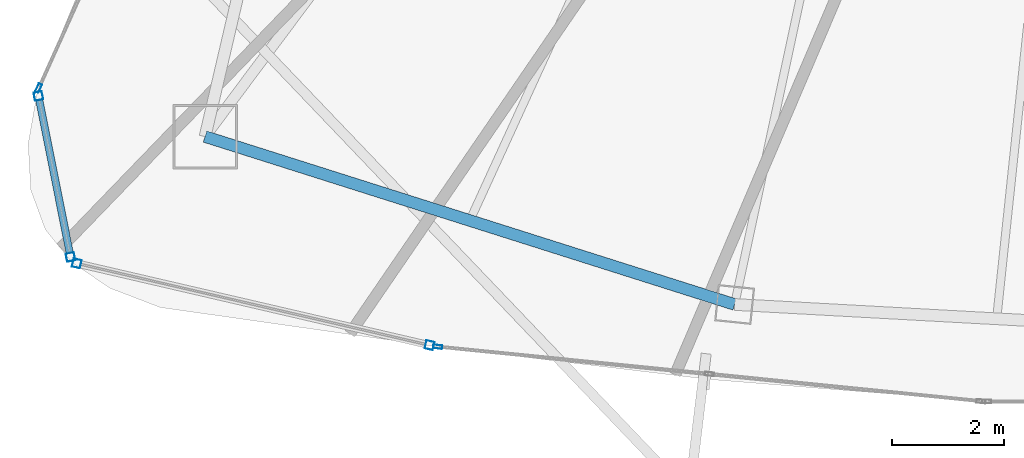
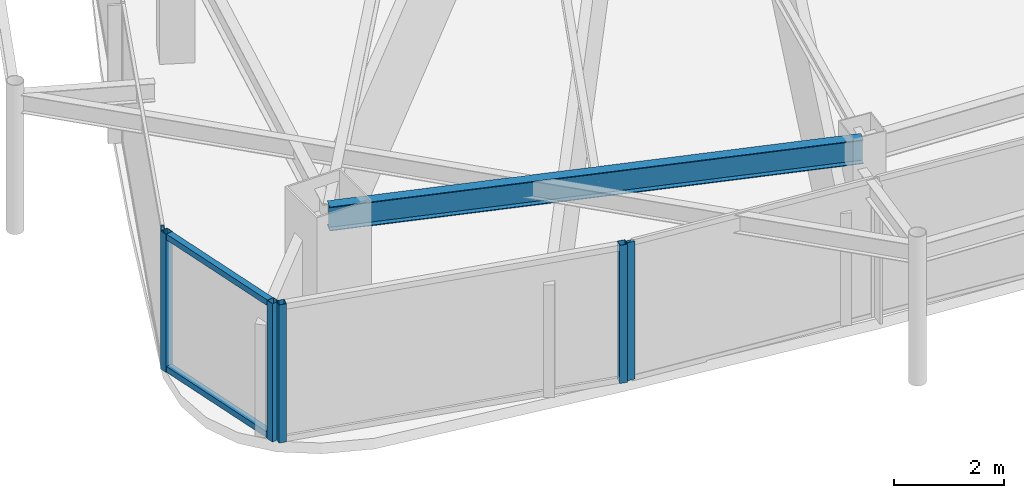
# One storey, part 2 of 28: 8 members, 1 beam, 4 elements without a shape of their own.
"""IFC4 building model written with IfcOpenShell, lengths in metres."""

from ifc_helpers import new_model, si_unit, direction, frame, origin, origin_2d, place, context, subcontext, project, spatial, hollow_rectangle, i_section, extrude, material, layer, layer_set, material_profile, profile_set, type_object, element, aggregate, save


model = new_model("IFC4")

# Units and contexts
model_context = context("Model", 3, precision=1e-05, world=origin(), true_north=direction((0.0, 1.0)))
body_context = subcontext(model_context, "Body", "Model", "MODEL_VIEW")
ifc_project = project(units=[si_unit("LENGTHUNIT", "METRE"), si_unit("AREAUNIT", "SQUARE_METRE"), si_unit("VOLUMEUNIT", "CUBIC_METRE"), si_unit("PLANEANGLEUNIT", "RADIAN"), si_unit("MASSUNIT", "GRAM", prefix="KILO")], contexts=[model_context])

# Site, building, storey
site_placement = place(None, origin())
site = spatial("IfcSite", under=ifc_project, at=site_placement, CompositionType="ELEMENT")
building_placement = place(site_placement, origin())
building = spatial("IfcBuilding", under=site, at=building_placement, Name="Orvanel Arch Residences", CompositionType="ELEMENT")
storey_placement = place(building_placement, frame((0.0, 0.0, 263.449951171875)))
storey = spatial("IfcBuildingStorey", under=building, at=storey_placement, Name="L75", CompositionType="ELEMENT", Elevation=263.449951171875)

# Curtain wall, members
ifc_material_1 = material(Name="Bronze-anodised aluminium AA6063-T6", Category="aluminium")
ifc_layer_1 = layer(ifc_material_1, 0.18994140625)
ifc_layer_set_1 = layer_set([ifc_layer_1], Name="Bronze-anodised aluminium AA6063-T6")
curtain_wall_type_1 = type_object("IfcCurtainWallType", Name="CW5-CRN-SYS", PredefinedType="NOTDEFINED", material=ifc_layer_set_1)
curtain_wall_1_placement = place(storey_placement, origin())
curtain_wall_1 = element("IfcCurtainWall", 1, at=curtain_wall_1_placement, inside=storey, type_object=curtain_wall_type_1, Name="L75 CW5-CRN-SYS Unitised Curtain Wall", PredefinedType="NOTDEFINED")
ifc_material_profile_1 = material_profile(ifc_material_1, hollow_rectangle(XDim=0.14990234375, YDim=0.14990234375, WallThickness=0.0048828125, at=origin_2d()), Name="ALU150x150x5")
ifc_profile_set_1 = profile_set([ifc_material_profile_1], Name="Bronze-anodised aluminium AA6063-T6")
member_type_1 = type_object("IfcMemberType", Name="MUL-150x150", PredefinedType="MULLION", material=ifc_profile_set_1)
member_1_placement = place(storey_placement, frame((11.2265625, 11.074462890625, 0.0), z_axis=(0.0, 0.0, 1.0), x_axis=(0.980692959243, 0.195553879253, 0.0)))
member_1 = element("IfcMember", 2, at=member_1_placement, type_object=member_type_1, Name="CW-S5 mullion 1", PredefinedType="MULLION", context=body_context, shape_type="SweptSolid", body=[
    extrude(hollow_rectangle(XDim=0.14990234375, YDim=0.14990234375, WallThickness=0.0048828125, at=origin_2d()), origin(), (0.0, 0.0, 1.0), 3.06005859375),
])
member_2_placement = place(storey_placement, frame((11.79931640625, 8.20263671875, 0.0), z_axis=(0.0, 0.0, 1.0), x_axis=(0.980692959243, 0.195553879253, 0.0)))
member_2 = element("IfcMember", 3, at=member_2_placement, type_object=member_type_1, Name="CW-S5 mullion 2", PredefinedType="MULLION", context=body_context, shape_type="SweptSolid", body=[
    extrude(hollow_rectangle(XDim=0.14990234375, YDim=0.14990234375, WallThickness=0.0048828125, at=origin_2d()), origin(), (0.0, 0.0, 1.0), 3.06005859375),
])

curtain_wall_2_placement = place(storey_placement, origin())
curtain_wall_2 = element("IfcCurtainWall", 4, at=curtain_wall_2_placement, inside=storey, type_object=curtain_wall_type_1, Name="L75 CW5-CRN-SYS Unitised Curtain Wall", PredefinedType="NOTDEFINED")
member_3_placement = place(storey_placement, frame((11.91015625, 8.087158203125, 0.0), z_axis=(0.0, 0.0, 1.0), x_axis=(0.225919598226, 0.974145951661, 0.0)))
member_3 = element("IfcMember", 5, at=member_3_placement, type_object=member_type_1, Name="CW-S5 mullion 1", PredefinedType="MULLION", context=body_context, shape_type="SweptSolid", body=[
    extrude(hollow_rectangle(XDim=0.14990234375, YDim=0.14990234375, WallThickness=0.0048828125, at=origin_2d()), origin(), (0.0, 0.0, 1.0), 3.06005859375),
])
member_4_placement = place(storey_placement, frame((18.2060546875, 6.626953125, 0.0), z_axis=(0.0, 0.0, 1.0), x_axis=(0.225919598226, 0.974145951661, 0.0)))
member_4 = element("IfcMember", 6, at=member_4_placement, type_object=member_type_1, Name="CW-S5 mullion 2", PredefinedType="MULLION", context=body_context, shape_type="SweptSolid", body=[
    extrude(hollow_rectangle(XDim=0.14990234375, YDim=0.14990234375, WallThickness=0.0048828125, at=origin_2d()), origin(), (0.0, 0.0, 1.0), 3.06005859375),
])
aggregate(curtain_wall_2, [member_3, member_4])

# Curtain wall, member
ifc_layer_2 = layer(ifc_material_1, 0.175048828125)
ifc_layer_set_2 = layer_set([ifc_layer_2], Name="Bronze-anodised aluminium AA6063-T6")
curtain_wall_type_2 = type_object("IfcCurtainWallType", Name="CW4-HI-SYS", PredefinedType="NOTDEFINED", material=ifc_layer_set_2)
curtain_wall_3_placement = place(storey_placement, origin())
curtain_wall_3 = element("IfcCurtainWall", 7, at=curtain_wall_3_placement, inside=storey, type_object=curtain_wall_type_2, Name="L75 CW4-HI-SYS Unitised Curtain Wall", PredefinedType="NOTDEFINED")
ifc_material_profile_2 = material_profile(ifc_material_1, hollow_rectangle(XDim=0.06494140625, YDim=0.159912109375, WallThickness=0.00390625, at=origin_2d()), Name="ALU160x65x4")
ifc_profile_set_2 = profile_set([ifc_material_profile_2], Name="Bronze-anodised aluminium AA6063-T6")
member_type_2 = type_object("IfcMemberType", Name="MUL-160x65", PredefinedType="MULLION", material=ifc_profile_set_2)
member_5_placement = place(storey_placement, frame((11.229248046875, 11.215576171875, 0.0), z_axis=(0.0, 0.0, 1.0), x_axis=(0.912050087349, -0.410078819456, 0.0)))
member_5 = element("IfcMember", 8, at=member_5_placement, type_object=member_type_2, Name="CW-S4 mullion 3", PredefinedType="MULLION", context=body_context, shape_type="SweptSolid", body=[
    extrude(hollow_rectangle(XDim=0.06494140625, YDim=0.159912109375, WallThickness=0.00390625, at=origin_2d()), origin(), (0.0, 0.0, 1.0), 3.06005859375),
])
aggregate(curtain_wall_3, [member_5])

curtain_wall_4_placement = place(storey_placement, origin())
curtain_wall_4 = element("IfcCurtainWall", 9, at=curtain_wall_4_placement, inside=storey, type_object=curtain_wall_type_2, Name="L75 CW4-HI-SYS Unitised Curtain Wall", PredefinedType="NOTDEFINED")
member_6_placement = place(storey_placement, frame((18.350341796875, 6.599853515625, 0.0), z_axis=(0.0, 0.0, 1.0), x_axis=(0.099796405352, 0.995007878099, 0.0)))
member_6 = element("IfcMember", 10, at=member_6_placement, type_object=member_type_2, Name="CW-S4 mullion 1", PredefinedType="MULLION", context=body_context, shape_type="SweptSolid", body=[
    extrude(hollow_rectangle(XDim=0.06494140625, YDim=0.159912109375, WallThickness=0.00390625, at=origin_2d()), origin(), (0.0, 0.0, 1.0), 3.06005859375),
])
aggregate(curtain_wall_4, [member_6])

# Beam
ifc_material_2 = material(Name="Structural steel AS/NZS 3679.1 Grade 300 (300 MPa)", Category="steel")
ifc_material_profile_3 = material_profile(ifc_material_2, i_section(OverallWidth=0.208984375, OverallDepth=0.532958984375, WebThickness=0.01025390625, FlangeThickness=0.015625, at=origin_2d()), Name="530UB92.4")
ifc_profile_set_3 = profile_set([ifc_material_profile_3], Name="Structural steel AS/NZS 3679.1 Grade 300 (300 MPa)")
beam_type = type_object("IfcBeamType", Name="SP-530UB", PredefinedType="SPANDREL", material=ifc_profile_set_3)
beam_placement = place(storey_placement, frame((14.198974609375, 10.35107421875, 2.79296875), z_axis=(0.953237386592, -0.302222574941, 0.0), x_axis=(0.302222574941, 0.953237386592, 0.0)))
element("IfcBeam", 11, at=beam_placement, inside=storey, type_object=beam_type, Name="L75 Perimeter Spandrel Beam 02", PredefinedType="SPANDREL", context=body_context, shape_type="SweptSolid", body=[
    extrude(i_section(OverallWidth=0.208984375, OverallDepth=0.532958984375, WebThickness=0.01025390625, FlangeThickness=0.015625, at=origin_2d()), origin(), (0.0, 0.0, 1.0), 9.91357421875),
])

# Member
ifc_material_profile_4 = material_profile(ifc_material_1, hollow_rectangle(XDim=0.1298828125, YDim=0.1298828125, WallThickness=0.00439453125, at=origin_2d()), Name="ALU130x130x4.5")
ifc_profile_set_4 = profile_set([ifc_material_profile_4], Name="Bronze-anodised aluminium AA6063-T6")
member_type_3 = type_object("IfcMemberType", Name="TRN-130x130", PredefinedType="USERDEFINED", material=ifc_profile_set_4)
member_7_placement = place(storey_placement, frame((11.241455078125, 11.0009765625, 0.06494140625), z_axis=(0.195507775885, -0.980702151302, 0.0), x_axis=(0.980702151302, 0.195507775885, 0.0)))
member_7 = element("IfcMember", 12, at=member_7_placement, type_object=member_type_3, Name="CW-S5 transom 1.1", ObjectType="TRANSOM", PredefinedType="USERDEFINED", context=body_context, shape_type="SweptSolid", body=[
    extrude(hollow_rectangle(XDim=0.1298828125, YDim=0.1298828125, WallThickness=0.00439453125, at=origin_2d()), origin(), (0.0, 0.0, 1.0), 2.778564453125),
])

member_8_placement = place(storey_placement, frame((11.241455078125, 11.0009765625, 2.9951171875), z_axis=(0.195507775885, -0.980702151302, 0.0), x_axis=(0.980702151302, 0.195507775885, 0.0)))
member_8 = element("IfcMember", 13, at=member_8_placement, type_object=member_type_3, Name="CW-S5 transom 1.2", ObjectType="TRANSOM", PredefinedType="USERDEFINED", context=body_context, shape_type="SweptSolid", body=[
    extrude(hollow_rectangle(XDim=0.1298828125, YDim=0.1298828125, WallThickness=0.00439453125, at=origin_2d()), origin(), (0.0, 0.0, 1.0), 2.778564453125),
])

aggregate(curtain_wall_1, [member_1, member_2, member_7, member_8])

save(model, "model.ifc")
